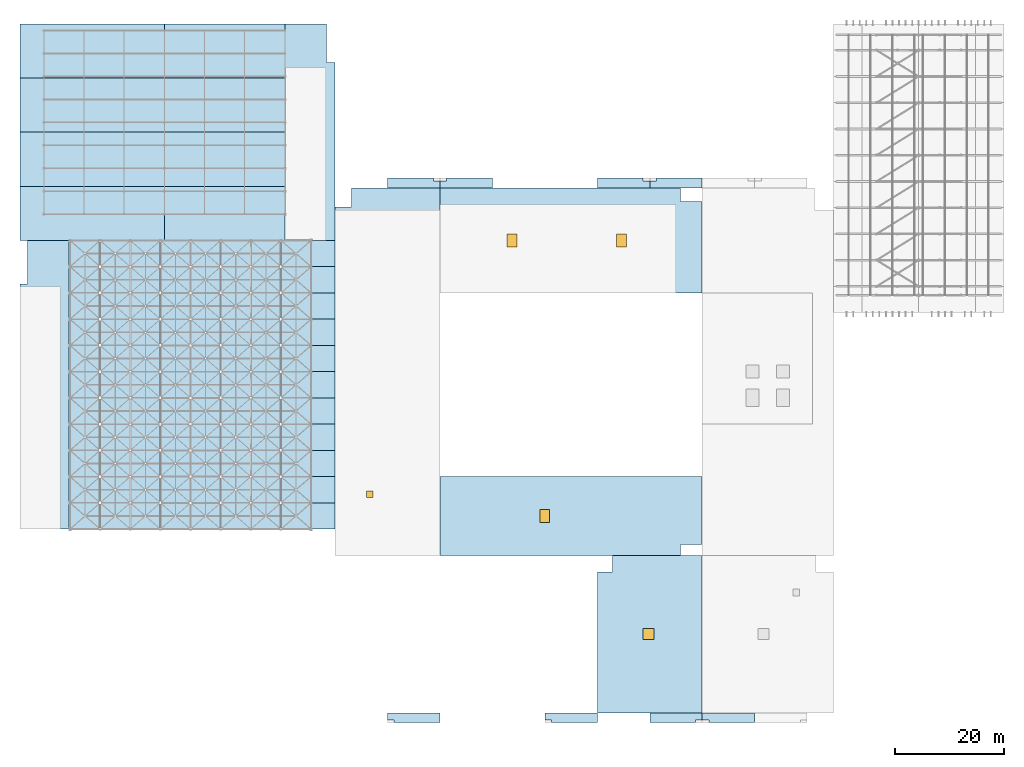
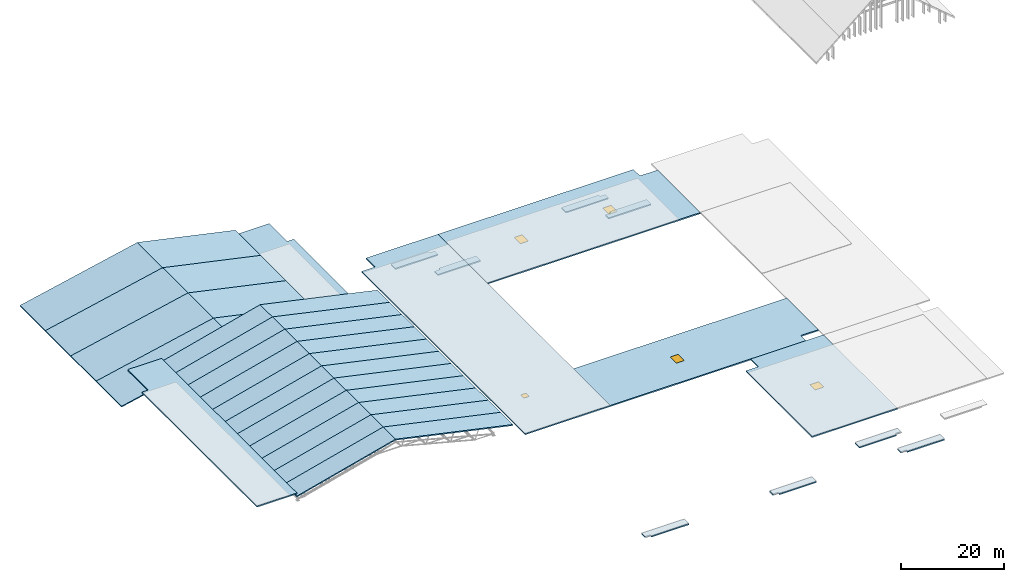
# One storey, part 40 of 60: 44 slabs, 5 windows, 5 openings, 2 elements without a shape of their own.
"""IFC4 building model written with IfcOpenShell, lengths in metres."""

from ifc_helpers import new_model, si_unit, direction, frame, origin, origin_2d, place, context, subcontext, project, spatial, polyline, rectangle, outline, extrude, material, layer, layer_set, type_object, element, fill, aggregate, save


model = new_model("IFC4")

# Units and contexts
model_context = context("Model", 3, precision=1e-05, world=origin(), true_north=direction((0.0, 1.0)))
body_context = subcontext(model_context, "Body", "Model", "MODEL_VIEW")
ifc_project = project(units=[si_unit("LENGTHUNIT", "METRE"), si_unit("AREAUNIT", "SQUARE_METRE"), si_unit("VOLUMEUNIT", "CUBIC_METRE"), si_unit("PLANEANGLEUNIT", "RADIAN"), si_unit("MASSUNIT", "GRAM", prefix="KILO")], contexts=[model_context])

# Site, building, storey
site_placement = place(None, origin())
site = spatial("IfcSite", under=ifc_project, at=site_placement, CompositionType="ELEMENT")
building_placement = place(site_placement, origin())
building = spatial("IfcBuilding", under=site, at=building_placement, Name="Nakhvara Creek Congress Hotel", CompositionType="ELEMENT")
storey_placement = place(building_placement, frame((0.0, 0.0, 54.60009765625)))
storey = spatial("IfcBuildingStorey", under=building, at=storey_placement, Name="RL1", CompositionType="ELEMENT", Elevation=54.60009765625)

# Roof, slabs
ifc_material_1 = material(Name="Concrete C40/50", Category="concrete")
ifc_layer_1 = layer(ifc_material_1, 0.22998046875)
ifc_layer_set_1 = layer_set([ifc_layer_1], Name="Concrete C40/50")
roof_type_1 = type_object("IfcRoofType", Name="ROOF-BALL-GABLE", PredefinedType="GABLE_ROOF", material=ifc_layer_set_1)
roof_1_placement = place(storey_placement, origin())
roof_1 = element("IfcRoof", 1, at=roof_1_placement, inside=storey, type_object=roof_type_1, Name="Grand Ballroom Long-Span Truss Gable Roof", PredefinedType="GABLE_ROOF")
ifc_layer_2 = layer(ifc_material_1, 0.22998046875)
ifc_layer_set_2 = layer_set([ifc_layer_2], Name="Concrete C40/50")
slab_type_1 = type_object("IfcSlabType", Name="SL-ROOF-230", PredefinedType="ROOF", material=ifc_layer_set_2)
slab_1_placement = place(storey_placement, frame((0.0, 86.39990234375, -41.850341796875), z_axis=(0.0, 0.0, 1.0), x_axis=(1.0, 0.0, 0.0)))
slab_1 = element("IfcSlab", 2, at=slab_1_placement, type_object=slab_type_1, Name="Ballroom West Pitched Roof Slab 1", PredefinedType="ROOF", context=body_context, shape_type="SweptSolid", body=[
    extrude(outline(polyline([(0.0, 0.0), (26.39990234375, 5.746826171875), (26.39990234375, 5.511474609375), (0.0, -0.2353515625), (0.0, 0.0)])), frame((0.0, 9.900146484375, 0.0), z_axis=(0.0, -1.0, 0.0), x_axis=(1.0, 0.0, 0.0)), (0.0, 0.0, 1.0), 9.900146484375),
])
slab_2_placement = place(storey_placement, frame((26.39990234375, 86.39990234375, -36.103515625), z_axis=(0.0, 0.0, 1.0), x_axis=(1.0, 0.0, 0.0)))
slab_2 = element("IfcSlab", 3, at=slab_2_placement, type_object=slab_type_1, Name="Ballroom East Pitched Roof Slab 1", PredefinedType="ROOF", context=body_context, shape_type="SweptSolid", body=[
    extrude(outline(polyline([(0.0, 0.0), (22.050048828125, -4.800048828125), (22.050048828125, -5.035400390625), (0.0, -0.2353515625), (0.0, 0.0)])), frame((0.0, 9.900146484375, 0.0), z_axis=(0.0, -1.0, 0.0), x_axis=(1.0, 0.0, 0.0)), (0.0, 0.0, 1.0), 9.900146484375),
])
slab_3_placement = place(storey_placement, frame((0.0, 96.300048828125, -41.850341796875), z_axis=(0.0, 0.0, 1.0), x_axis=(1.0, 0.0, 0.0)))
slab_3 = element("IfcSlab", 4, at=slab_3_placement, type_object=slab_type_1, Name="Ballroom West Pitched Roof Slab 2", PredefinedType="ROOF", context=body_context, shape_type="SweptSolid", body=[
    extrude(outline(polyline([(0.0, 0.0), (26.39990234375, 5.746826171875), (26.39990234375, 5.511474609375), (0.0, -0.2353515625), (0.0, 0.0)])), frame((0.0, 9.89990234375, 0.0), z_axis=(0.0, -1.0, 0.0), x_axis=(1.0, 0.0, 0.0)), (0.0, 0.0, 1.0), 9.89990234375),
])
slab_4_placement = place(storey_placement, frame((26.39990234375, 96.300048828125, -36.103515625), z_axis=(0.0, 0.0, 1.0), x_axis=(1.0, 0.0, 0.0)))
slab_4 = element("IfcSlab", 5, at=slab_4_placement, type_object=slab_type_1, Name="Ballroom East Pitched Roof Slab 2", PredefinedType="ROOF", context=body_context, shape_type="SweptSolid", body=[
    extrude(outline(polyline([(0.0, 0.0), (22.050048828125, -4.800048828125), (22.050048828125, -5.035400390625), (0.0, -0.2353515625), (0.0, 0.0)])), frame((0.0, 9.89990234375, 0.0), z_axis=(0.0, -1.0, 0.0), x_axis=(1.0, 0.0, 0.0)), (0.0, 0.0, 1.0), 9.89990234375),
])
slab_5_placement = place(storey_placement, frame((0.0, 106.199951171875, -41.850341796875), z_axis=(0.0, 0.0, 1.0), x_axis=(1.0, 0.0, 0.0)))
slab_5 = element("IfcSlab", 6, at=slab_5_placement, type_object=slab_type_1, Name="Ballroom West Pitched Roof Slab 3", PredefinedType="ROOF", context=body_context, shape_type="SweptSolid", body=[
    extrude(outline(polyline([(0.0, 0.0), (26.39990234375, 5.746826171875), (26.39990234375, 5.511474609375), (0.0, -0.2353515625), (0.0, 0.0)])), frame((0.0, 9.900146484375, 0.0), z_axis=(0.0, -1.0, 0.0), x_axis=(1.0, 0.0, 0.0)), (0.0, 0.0, 1.0), 9.900146484375),
])
slab_6_placement = place(storey_placement, frame((26.39990234375, 106.199951171875, -36.103515625), z_axis=(0.0, 0.0, 1.0), x_axis=(1.0, 0.0, 0.0)))
slab_6 = element("IfcSlab", 7, at=slab_6_placement, type_object=slab_type_1, Name="Ballroom East Pitched Roof Slab 3", PredefinedType="ROOF", context=body_context, shape_type="SweptSolid", body=[
    extrude(outline(polyline([(0.0, 0.0), (22.050048828125, -4.800048828125), (22.050048828125, -5.035400390625), (0.0, -0.2353515625), (0.0, 0.0)])), frame((0.0, 9.900146484375, 0.0), z_axis=(0.0, -1.0, 0.0), x_axis=(1.0, 0.0, 0.0)), (0.0, 0.0, 1.0), 9.900146484375),
])
slab_7_placement = place(storey_placement, frame((0.0, 116.10009765625, -41.850341796875), z_axis=(0.0, 0.0, 1.0), x_axis=(1.0, 0.0, 0.0)))
slab_7 = element("IfcSlab", 8, at=slab_7_placement, type_object=slab_type_1, Name="Ballroom West Pitched Roof Slab 4", PredefinedType="ROOF", context=body_context, shape_type="SweptSolid", body=[
    extrude(outline(polyline([(0.0, 0.0), (26.39990234375, 5.746826171875), (26.39990234375, 5.511474609375), (0.0, -0.2353515625), (0.0, 0.0)])), frame((0.0, 9.89990234375, 0.0), z_axis=(0.0, -1.0, 0.0), x_axis=(1.0, 0.0, 0.0)), (0.0, 0.0, 1.0), 9.89990234375),
])
slab_8_placement = place(storey_placement, frame((26.39990234375, 116.10009765625, -36.103515625), z_axis=(0.0, 0.0, 1.0), x_axis=(1.0, 0.0, 0.0)))
slab_8 = element("IfcSlab", 9, at=slab_8_placement, type_object=slab_type_1, Name="Ballroom East Pitched Roof Slab 4", PredefinedType="ROOF", context=body_context, shape_type="SweptSolid", body=[
    extrude(outline(polyline([(0.0, 0.0), (22.050048828125, -4.800048828125), (22.050048828125, -5.035400390625), (0.0, -0.2353515625), (0.0, 0.0)])), frame((0.0, 9.89990234375, 0.0), z_axis=(0.0, -1.0, 0.0), x_axis=(1.0, 0.0, 0.0)), (0.0, 0.0, 1.0), 9.89990234375),
])
aggregate(roof_1, [slab_1, slab_2, slab_3, slab_4, slab_5, slab_6, slab_7, slab_8])

ifc_layer_3 = layer(ifc_material_1, 0.27001953125)
ifc_layer_set_3 = layer_set([ifc_layer_3], Name="Concrete C40/50")
roof_type_2 = type_object("IfcRoofType", Name="ROOF-CONG-SF", PredefinedType="GABLE_ROOF", material=ifc_layer_set_3)
roof_2_placement = place(storey_placement, origin())
roof_2 = element("IfcRoof", 10, at=roof_2_placement, inside=storey, type_object=roof_type_2, Name="Congress Hall 11-Bay Space-Frame Roof", PredefinedType="GABLE_ROOF")
ifc_layer_4 = layer(ifc_material_1, 0.27001953125)
ifc_layer_set_4 = layer_set([ifc_layer_4], Name="Concrete C40/50")
slab_type_2 = type_object("IfcSlabType", Name="SL-ROOF-270", PredefinedType="ROOF", material=ifc_layer_set_4)
slab_9_placement = place(storey_placement, frame((9.0, 33.60009765625, -34.348876953125), z_axis=(0.0, 0.0, 1.0), x_axis=(1.0, 0.0, 0.0)))
slab_9 = element("IfcSlab", 11, at=slab_9_placement, type_object=slab_type_2, Name="Congress Hall West Pitched Roof Slab Bay 1", PredefinedType="ROOF", context=body_context, shape_type="SweptSolid", body=[
    extrude(outline(polyline([(0.0, 0.0), (22.199951171875, 5.759765625), (22.199951171875, 5.480712890625), (0.0, -0.279052734375), (0.0, 0.0)])), frame((0.0, 4.7998046875, 0.0), z_axis=(0.0, -1.0, 0.0), x_axis=(1.0, 0.0, 0.0)), (0.0, 0.0, 1.0), 4.7998046875),
])
slab_10_placement = place(storey_placement, frame((31.199951171875, 33.60009765625, -28.589111328125), z_axis=(0.0, 0.0, 1.0), x_axis=(1.0, 0.0, 0.0)))
slab_10 = element("IfcSlab", 12, at=slab_10_placement, type_object=slab_type_2, Name="Congress Hall East Pitched Roof Slab Bay 1", PredefinedType="ROOF", context=body_context, shape_type="SweptSolid", body=[
    extrude(outline(polyline([(0.0, 0.0), (26.400146484375, -5.759765625), (26.400146484375, -6.0361328125), (0.0, -0.2763671875), (0.0, 0.0)])), frame((0.0, 4.7998046875, 0.0), z_axis=(0.0, -1.0, 0.0), x_axis=(1.0, 0.0, 0.0)), (0.0, 0.0, 1.0), 4.7998046875),
])
slab_11_placement = place(storey_placement, frame((9.0, 38.39990234375, -34.348876953125), z_axis=(0.0, 0.0, 1.0), x_axis=(1.0, 0.0, 0.0)))
slab_11 = element("IfcSlab", 13, at=slab_11_placement, type_object=slab_type_2, Name="Congress Hall West Pitched Roof Slab Bay 2", PredefinedType="ROOF", context=body_context, shape_type="SweptSolid", body=[
    extrude(outline(polyline([(0.0, 0.0), (22.199951171875, 5.759765625), (22.199951171875, 5.480712890625), (0.0, -0.279052734375), (0.0, 0.0)])), frame((0.0, 4.800048828125, 0.0), z_axis=(0.0, -1.0, 0.0), x_axis=(1.0, 0.0, 0.0)), (0.0, 0.0, 1.0), 4.800048828125),
])
slab_12_placement = place(storey_placement, frame((31.199951171875, 38.39990234375, -28.589111328125), z_axis=(0.0, 0.0, 1.0), x_axis=(1.0, 0.0, 0.0)))
slab_12 = element("IfcSlab", 14, at=slab_12_placement, type_object=slab_type_2, Name="Congress Hall East Pitched Roof Slab Bay 2", PredefinedType="ROOF", context=body_context, shape_type="SweptSolid", body=[
    extrude(outline(polyline([(0.0, 0.0), (26.400146484375, -5.759765625), (26.400146484375, -6.0361328125), (0.0, -0.2763671875), (0.0, 0.0)])), frame((0.0, 4.800048828125, 0.0), z_axis=(0.0, -1.0, 0.0), x_axis=(1.0, 0.0, 0.0)), (0.0, 0.0, 1.0), 4.800048828125),
])
slab_13_placement = place(storey_placement, frame((9.0, 43.199951171875, -34.348876953125), z_axis=(0.0, 0.0, 1.0), x_axis=(1.0, 0.0, 0.0)))
slab_13 = element("IfcSlab", 15, at=slab_13_placement, type_object=slab_type_2, Name="Congress Hall West Pitched Roof Slab Bay 3", PredefinedType="ROOF", context=body_context, shape_type="SweptSolid", body=[
    extrude(outline(polyline([(0.0, 0.0), (22.199951171875, 5.759765625), (22.199951171875, 5.480712890625), (0.0, -0.279052734375), (0.0, 0.0)])), frame((0.0, 4.800048828125, 0.0), z_axis=(0.0, -1.0, 0.0), x_axis=(1.0, 0.0, 0.0)), (0.0, 0.0, 1.0), 4.800048828125),
])
slab_14_placement = place(storey_placement, frame((31.199951171875, 43.199951171875, -28.589111328125), z_axis=(0.0, 0.0, 1.0), x_axis=(1.0, 0.0, 0.0)))
slab_14 = element("IfcSlab", 16, at=slab_14_placement, type_object=slab_type_2, Name="Congress Hall East Pitched Roof Slab Bay 3", PredefinedType="ROOF", context=body_context, shape_type="SweptSolid", body=[
    extrude(outline(polyline([(0.0, 0.0), (26.400146484375, -5.759765625), (26.400146484375, -6.0361328125), (0.0, -0.2763671875), (0.0, 0.0)])), frame((0.0, 4.800048828125, 0.0), z_axis=(0.0, -1.0, 0.0), x_axis=(1.0, 0.0, 0.0)), (0.0, 0.0, 1.0), 4.800048828125),
])
slab_15_placement = place(storey_placement, frame((9.0, 48.0, -34.348876953125), z_axis=(0.0, 0.0, 1.0), x_axis=(1.0, 0.0, 0.0)))
slab_15 = element("IfcSlab", 17, at=slab_15_placement, type_object=slab_type_2, Name="Congress Hall West Pitched Roof Slab Bay 4", PredefinedType="ROOF", context=body_context, shape_type="SweptSolid", body=[
    extrude(outline(polyline([(0.0, 0.0), (22.199951171875, 5.759765625), (22.199951171875, 5.480712890625), (0.0, -0.279052734375), (0.0, 0.0)])), frame((0.0, 4.800048828125, 0.0), z_axis=(0.0, -1.0, 0.0), x_axis=(1.0, 0.0, 0.0)), (0.0, 0.0, 1.0), 4.800048828125),
])
slab_16_placement = place(storey_placement, frame((31.199951171875, 48.0, -28.589111328125), z_axis=(0.0, 0.0, 1.0), x_axis=(1.0, 0.0, 0.0)))
slab_16 = element("IfcSlab", 18, at=slab_16_placement, type_object=slab_type_2, Name="Congress Hall East Pitched Roof Slab Bay 4", PredefinedType="ROOF", context=body_context, shape_type="SweptSolid", body=[
    extrude(outline(polyline([(0.0, 0.0), (26.400146484375, -5.759765625), (26.400146484375, -6.0361328125), (0.0, -0.2763671875), (0.0, 0.0)])), frame((0.0, 4.800048828125, 0.0), z_axis=(0.0, -1.0, 0.0), x_axis=(1.0, 0.0, 0.0)), (0.0, 0.0, 1.0), 4.800048828125),
])
slab_17_placement = place(storey_placement, frame((9.0, 52.800048828125, -34.348876953125), z_axis=(0.0, 0.0, 1.0), x_axis=(1.0, 0.0, 0.0)))
slab_17 = element("IfcSlab", 19, at=slab_17_placement, type_object=slab_type_2, Name="Congress Hall West Pitched Roof Slab Bay 5", PredefinedType="ROOF", context=body_context, shape_type="SweptSolid", body=[
    extrude(outline(polyline([(0.0, 0.0), (22.199951171875, 5.759765625), (22.199951171875, 5.480712890625), (0.0, -0.279052734375), (0.0, 0.0)])), frame((0.0, 4.800048828125, 0.0), z_axis=(0.0, -1.0, 0.0), x_axis=(1.0, 0.0, 0.0)), (0.0, 0.0, 1.0), 4.800048828125),
])
slab_18_placement = place(storey_placement, frame((31.199951171875, 52.800048828125, -28.589111328125), z_axis=(0.0, 0.0, 1.0), x_axis=(1.0, 0.0, 0.0)))
slab_18 = element("IfcSlab", 20, at=slab_18_placement, type_object=slab_type_2, Name="Congress Hall East Pitched Roof Slab Bay 5", PredefinedType="ROOF", context=body_context, shape_type="SweptSolid", body=[
    extrude(outline(polyline([(0.0, 0.0), (26.400146484375, -5.759765625), (26.400146484375, -6.0361328125), (0.0, -0.2763671875), (0.0, 0.0)])), frame((0.0, 4.800048828125, 0.0), z_axis=(0.0, -1.0, 0.0), x_axis=(1.0, 0.0, 0.0)), (0.0, 0.0, 1.0), 4.800048828125),
])
slab_19_placement = place(storey_placement, frame((9.0, 57.60009765625, -34.348876953125), z_axis=(0.0, 0.0, 1.0), x_axis=(1.0, 0.0, 0.0)))
slab_19 = element("IfcSlab", 21, at=slab_19_placement, type_object=slab_type_2, Name="Congress Hall West Pitched Roof Slab Bay 6", PredefinedType="ROOF", context=body_context, shape_type="SweptSolid", body=[
    extrude(outline(polyline([(0.0, 0.0), (22.199951171875, 5.759765625), (22.199951171875, 5.480712890625), (0.0, -0.279052734375), (0.0, 0.0)])), frame((0.0, 4.7998046875, 0.0), z_axis=(0.0, -1.0, 0.0), x_axis=(1.0, 0.0, 0.0)), (0.0, 0.0, 1.0), 4.7998046875),
])
slab_20_placement = place(storey_placement, frame((31.199951171875, 57.60009765625, -28.589111328125), z_axis=(0.0, 0.0, 1.0), x_axis=(1.0, 0.0, 0.0)))
slab_20 = element("IfcSlab", 22, at=slab_20_placement, type_object=slab_type_2, Name="Congress Hall East Pitched Roof Slab Bay 6", PredefinedType="ROOF", context=body_context, shape_type="SweptSolid", body=[
    extrude(outline(polyline([(0.0, 0.0), (26.400146484375, -5.759765625), (26.400146484375, -6.0361328125), (0.0, -0.2763671875), (0.0, 0.0)])), frame((0.0, 4.7998046875, 0.0), z_axis=(0.0, -1.0, 0.0), x_axis=(1.0, 0.0, 0.0)), (0.0, 0.0, 1.0), 4.7998046875),
])
slab_21_placement = place(storey_placement, frame((9.0, 62.39990234375, -34.348876953125), z_axis=(0.0, 0.0, 1.0), x_axis=(1.0, 0.0, 0.0)))
slab_21 = element("IfcSlab", 23, at=slab_21_placement, type_object=slab_type_2, Name="Congress Hall West Pitched Roof Slab Bay 7", PredefinedType="ROOF", context=body_context, shape_type="SweptSolid", body=[
    extrude(outline(polyline([(0.0, 0.0), (22.199951171875, 5.759765625), (22.199951171875, 5.480712890625), (0.0, -0.279052734375), (0.0, 0.0)])), frame((0.0, 4.800048828125, 0.0), z_axis=(0.0, -1.0, 0.0), x_axis=(1.0, 0.0, 0.0)), (0.0, 0.0, 1.0), 4.800048828125),
])
slab_22_placement = place(storey_placement, frame((31.199951171875, 62.39990234375, -28.589111328125), z_axis=(0.0, 0.0, 1.0), x_axis=(1.0, 0.0, 0.0)))
slab_22 = element("IfcSlab", 24, at=slab_22_placement, type_object=slab_type_2, Name="Congress Hall East Pitched Roof Slab Bay 7", PredefinedType="ROOF", context=body_context, shape_type="SweptSolid", body=[
    extrude(outline(polyline([(0.0, 0.0), (26.400146484375, -5.759765625), (26.400146484375, -6.0361328125), (0.0, -0.2763671875), (0.0, 0.0)])), frame((0.0, 4.800048828125, 0.0), z_axis=(0.0, -1.0, 0.0), x_axis=(1.0, 0.0, 0.0)), (0.0, 0.0, 1.0), 4.800048828125),
])
slab_23_placement = place(storey_placement, frame((9.0, 67.199951171875, -34.348876953125), z_axis=(0.0, 0.0, 1.0), x_axis=(1.0, 0.0, 0.0)))
slab_23 = element("IfcSlab", 25, at=slab_23_placement, type_object=slab_type_2, Name="Congress Hall West Pitched Roof Slab Bay 8", PredefinedType="ROOF", context=body_context, shape_type="SweptSolid", body=[
    extrude(outline(polyline([(0.0, 0.0), (22.199951171875, 5.759765625), (22.199951171875, 5.480712890625), (0.0, -0.279052734375), (0.0, 0.0)])), frame((0.0, 4.800048828125, 0.0), z_axis=(0.0, -1.0, 0.0), x_axis=(1.0, 0.0, 0.0)), (0.0, 0.0, 1.0), 4.800048828125),
])
slab_24_placement = place(storey_placement, frame((31.199951171875, 67.199951171875, -28.589111328125), z_axis=(0.0, 0.0, 1.0), x_axis=(1.0, 0.0, 0.0)))
slab_24 = element("IfcSlab", 26, at=slab_24_placement, type_object=slab_type_2, Name="Congress Hall East Pitched Roof Slab Bay 8", PredefinedType="ROOF", context=body_context, shape_type="SweptSolid", body=[
    extrude(outline(polyline([(0.0, 0.0), (26.400146484375, -5.759765625), (26.400146484375, -6.0361328125), (0.0, -0.2763671875), (0.0, 0.0)])), frame((0.0, 4.800048828125, 0.0), z_axis=(0.0, -1.0, 0.0), x_axis=(1.0, 0.0, 0.0)), (0.0, 0.0, 1.0), 4.800048828125),
])
slab_25_placement = place(storey_placement, frame((9.0, 72.0, -34.348876953125), z_axis=(0.0, 0.0, 1.0), x_axis=(1.0, 0.0, 0.0)))
slab_25 = element("IfcSlab", 27, at=slab_25_placement, type_object=slab_type_2, Name="Congress Hall West Pitched Roof Slab Bay 9", PredefinedType="ROOF", context=body_context, shape_type="SweptSolid", body=[
    extrude(outline(polyline([(0.0, 0.0), (22.199951171875, 5.759765625), (22.199951171875, 5.480712890625), (0.0, -0.279052734375), (0.0, 0.0)])), frame((0.0, 4.800048828125, 0.0), z_axis=(0.0, -1.0, 0.0), x_axis=(1.0, 0.0, 0.0)), (0.0, 0.0, 1.0), 4.800048828125),
])
slab_26_placement = place(storey_placement, frame((31.199951171875, 72.0, -28.589111328125), z_axis=(0.0, 0.0, 1.0), x_axis=(1.0, 0.0, 0.0)))
slab_26 = element("IfcSlab", 28, at=slab_26_placement, type_object=slab_type_2, Name="Congress Hall East Pitched Roof Slab Bay 9", PredefinedType="ROOF", context=body_context, shape_type="SweptSolid", body=[
    extrude(outline(polyline([(0.0, 0.0), (26.400146484375, -5.759765625), (26.400146484375, -6.0361328125), (0.0, -0.2763671875), (0.0, 0.0)])), frame((0.0, 4.800048828125, 0.0), z_axis=(0.0, -1.0, 0.0), x_axis=(1.0, 0.0, 0.0)), (0.0, 0.0, 1.0), 4.800048828125),
])
slab_27_placement = place(storey_placement, frame((9.0, 76.800048828125, -34.348876953125), z_axis=(0.0, 0.0, 1.0), x_axis=(1.0, 0.0, 0.0)))
slab_27 = element("IfcSlab", 29, at=slab_27_placement, type_object=slab_type_2, Name="Congress Hall West Pitched Roof Slab Bay 10", PredefinedType="ROOF", context=body_context, shape_type="SweptSolid", body=[
    extrude(outline(polyline([(0.0, 0.0), (22.199951171875, 5.759765625), (22.199951171875, 5.480712890625), (0.0, -0.279052734375), (0.0, 0.0)])), frame((0.0, 4.800048828125, 0.0), z_axis=(0.0, -1.0, 0.0), x_axis=(1.0, 0.0, 0.0)), (0.0, 0.0, 1.0), 4.800048828125),
])
slab_28_placement = place(storey_placement, frame((31.199951171875, 76.800048828125, -28.589111328125), z_axis=(0.0, 0.0, 1.0), x_axis=(1.0, 0.0, 0.0)))
slab_28 = element("IfcSlab", 30, at=slab_28_placement, type_object=slab_type_2, Name="Congress Hall East Pitched Roof Slab Bay 10", PredefinedType="ROOF", context=body_context, shape_type="SweptSolid", body=[
    extrude(outline(polyline([(0.0, 0.0), (26.400146484375, -5.759765625), (26.400146484375, -6.0361328125), (0.0, -0.2763671875), (0.0, 0.0)])), frame((0.0, 4.800048828125, 0.0), z_axis=(0.0, -1.0, 0.0), x_axis=(1.0, 0.0, 0.0)), (0.0, 0.0, 1.0), 4.800048828125),
])
slab_29_placement = place(storey_placement, frame((9.0, 81.60009765625, -34.348876953125), z_axis=(0.0, 0.0, 1.0), x_axis=(1.0, 0.0, 0.0)))
slab_29 = element("IfcSlab", 31, at=slab_29_placement, type_object=slab_type_2, Name="Congress Hall West Pitched Roof Slab Bay 11", PredefinedType="ROOF", context=body_context, shape_type="SweptSolid", body=[
    extrude(outline(polyline([(0.0, 0.0), (22.199951171875, 5.759765625), (22.199951171875, 5.480712890625), (0.0, -0.279052734375), (0.0, 0.0)])), frame((0.0, 4.7998046875, 0.0), z_axis=(0.0, -1.0, 0.0), x_axis=(1.0, 0.0, 0.0)), (0.0, 0.0, 1.0), 4.7998046875),
])
slab_30_placement = place(storey_placement, frame((31.199951171875, 81.60009765625, -28.589111328125), z_axis=(0.0, 0.0, 1.0), x_axis=(1.0, 0.0, 0.0)))
slab_30 = element("IfcSlab", 32, at=slab_30_placement, type_object=slab_type_2, Name="Congress Hall East Pitched Roof Slab Bay 11", PredefinedType="ROOF", context=body_context, shape_type="SweptSolid", body=[
    extrude(outline(polyline([(0.0, 0.0), (26.400146484375, -5.759765625), (26.400146484375, -6.0361328125), (0.0, -0.2763671875), (0.0, 0.0)])), frame((0.0, 4.7998046875, 0.0), z_axis=(0.0, -1.0, 0.0), x_axis=(1.0, 0.0, 0.0)), (0.0, 0.0, 1.0), 4.7998046875),
])
aggregate(roof_2, [slab_9, slab_10, slab_11, slab_12, slab_13, slab_14, slab_15, slab_16, slab_17, slab_18, slab_19, slab_20, slab_21, slab_22, slab_23, slab_24, slab_25, slab_26, slab_27, slab_28, slab_29, slab_30])

# Slab, opening, window
ifc_layer_5 = layer(ifc_material_1, 0.2900390625)
ifc_layer_set_5 = layer_set([ifc_layer_5], Name="Concrete C40/50")
slab_type_3 = type_object("IfcSlabType", Name="SL-ROOF-290", PredefinedType="ROOF", material=ifc_layer_set_5)
slab_31_placement = place(storey_placement, frame((0.0, 0.0, -33.89013671875)))
slab_31 = element("IfcSlab", 33, at=slab_31_placement, inside=storey, type_object=slab_type_3, Name="Maintenance Roof Slab SLB-RF-V3-WEST", PredefinedType="ROOF", context=body_context, shape_type="SweptSolid", body=[
    extrude(outline(polyline([(57.60009765625, 28.800048828125), (76.800048828125, 28.800048828125), (76.800048828125, 96.0), (60.60009765625, 96.0), (60.60009765625, 92.5), (57.60009765625, 92.5), (57.60009765625, 28.800048828125)])), origin(), (0.0, 0.0, 1.0), 0.2900390625),
])
opening_1_placement = place(slab_31_placement, frame((64.0, 40.0, 0.0), z_axis=(0.0, 0.0, 1.0), x_axis=(1.0, 0.0, 0.0)))
opening_1 = element("IfcOpeningElement", 34, at=opening_1_placement, cuts=slab_31, Name="Opening RH01", PredefinedType="OPENING", context=body_context, shape_type="SweptSolid", body=[
    extrude(rectangle(XDim=1.199951171875, YDim=1.199951171875, at=origin_2d()), frame((0.0, 0.0, -0.011962890625)), (0.0, 0.0, 1.0), 0.31396484375),
])
ifc_material_2 = material(Name="Thermally broken bronze-anodised aluminium and double-silver low-E insulated glass", Category="aluminium")
window_type_1 = type_object("IfcWindowType", Name="SK-HTH-120X120", PartitioningType="SINGLE_PANEL", PredefinedType="SKYLIGHT", material=ifc_material_2)
window_1_placement = place(opening_1_placement, frame((0.0, 0.0, 0.239990234375)))
window_1 = element("IfcWindow", 35, at=window_1_placement, inside=storey, type_object=window_type_1, Name="Roof Skylight RH01", OverallHeight=1.199951171875, OverallWidth=1.199951171875, PartitioningType="SINGLE_PANEL", PredefinedType="SKYLIGHT", context=body_context, shape_type="SweptSolid", body=[
    extrude(rectangle(XDim=1.199951171875, YDim=1.199951171875, at=origin_2d()), origin(), (0.0, 0.0, 1.0), 0.050048828125),
])
fill(opening_1, window_1)

# Slab, openings, windows
slab_32_placement = place(storey_placement, frame((0.0, 0.0, -33.89013671875)))
slab_32 = element("IfcSlab", 36, at=slab_32_placement, inside=storey, type_object=slab_type_3, Name="Maintenance Roof Slab SLB-RF-V3-NORTH", PredefinedType="ROOF", context=body_context, shape_type="SweptSolid", body=[
    extrude(outline(polyline([(76.800048828125, 76.800048828125), (124.800048828125, 76.800048828125), (124.800048828125, 93.5), (120.800048828125, 93.5), (120.800048828125, 96.0), (76.800048828125, 96.0), (76.800048828125, 76.800048828125)])), origin(), (0.0, 0.0, 1.0), 0.2900390625),
])
opening_2_placement = place(slab_32_placement, frame((90.0, 86.39990234375, 0.0), z_axis=(0.0, 0.0, 1.0), x_axis=(1.0, 0.0, 0.0)))
opening_2 = element("IfcOpeningElement", 37, at=opening_2_placement, cuts=slab_32, Name="Opening SK05", PredefinedType="OPENING", context=body_context, shape_type="SweptSolid", body=[
    extrude(rectangle(XDim=1.800048828125, YDim=2.39990234375, at=origin_2d()), frame((0.0, 0.0, -0.011962890625)), (0.0, 0.0, 1.0), 0.31396484375),
])
opening_3_placement = place(slab_32_placement, frame((110.0, 86.39990234375, 0.0), z_axis=(0.0, 0.0, 1.0), x_axis=(1.0, 0.0, 0.0)))
opening_3 = element("IfcOpeningElement", 38, at=opening_3_placement, cuts=slab_32, Name="Opening SK06", PredefinedType="OPENING", context=body_context, shape_type="SweptSolid", body=[
    extrude(rectangle(XDim=1.800048828125, YDim=2.39990234375, at=origin_2d()), frame((0.0, 0.0, -0.011962890625)), (0.0, 0.0, 1.0), 0.31396484375),
])
window_type_2 = type_object("IfcWindowType", Name="SK-CON-180X240", PartitioningType="SINGLE_PANEL", PredefinedType="SKYLIGHT", material=ifc_material_2)
window_2_placement = place(opening_2_placement, frame((0.0, 0.0, 0.239990234375)))
window_2 = element("IfcWindow", 39, at=window_2_placement, inside=storey, type_object=window_type_2, Name="Roof Skylight SK05", OverallHeight=2.39990234375, OverallWidth=1.800048828125, PartitioningType="SINGLE_PANEL", PredefinedType="SKYLIGHT", context=body_context, shape_type="SweptSolid", body=[
    extrude(rectangle(XDim=1.800048828125, YDim=2.39990234375, at=origin_2d()), origin(), (0.0, 0.0, 1.0), 0.050048828125),
])
fill(opening_2, window_2)
window_3_placement = place(opening_3_placement, frame((0.0, 0.0, 0.239990234375)))
window_3 = element("IfcWindow", 40, at=window_3_placement, inside=storey, type_object=window_type_2, Name="Roof Skylight SK06", OverallHeight=2.39990234375, OverallWidth=1.800048828125, PartitioningType="SINGLE_PANEL", PredefinedType="SKYLIGHT", context=body_context, shape_type="SweptSolid", body=[
    extrude(rectangle(XDim=1.800048828125, YDim=2.39990234375, at=origin_2d()), origin(), (0.0, 0.0, 1.0), 0.050048828125),
])
fill(opening_3, window_3)

# Slab, opening, window
slab_33_placement = place(storey_placement, frame((0.0, 0.0, -33.89013671875)))
slab_33 = element("IfcSlab", 41, at=slab_33_placement, inside=storey, type_object=slab_type_3, Name="Maintenance Roof Slab SLB-RF-V3-SOUTH", PredefinedType="ROOF", context=body_context, shape_type="SweptSolid", body=[
    extrude(outline(polyline([(76.800048828125, 28.800048828125), (120.800048828125, 28.800048828125), (120.800048828125, 30.800048828125), (124.800048828125, 30.800048828125), (124.800048828125, 43.199951171875), (76.800048828125, 43.199951171875), (76.800048828125, 28.800048828125)])), origin(), (0.0, 0.0, 1.0), 0.2900390625),
])
opening_4_placement = place(slab_33_placement, frame((96.0, 36.0, 0.0), z_axis=(0.0, 0.0, 1.0), x_axis=(1.0, 0.0, 0.0)))
opening_4 = element("IfcOpeningElement", 42, at=opening_4_placement, cuts=slab_33, Name="Opening SK09", PredefinedType="OPENING", context=body_context, shape_type="SweptSolid", body=[
    extrude(rectangle(XDim=1.800048828125, YDim=2.39990234375, at=origin_2d()), frame((0.0, 0.0, -0.011962890625)), (0.0, 0.0, 1.0), 0.31396484375),
])
window_4_placement = place(opening_4_placement, frame((0.0, 0.0, 0.239990234375)))
window_4 = element("IfcWindow", 43, at=window_4_placement, inside=storey, type_object=window_type_2, Name="Roof Skylight SK09", OverallHeight=2.39990234375, OverallWidth=1.800048828125, PartitioningType="SINGLE_PANEL", PredefinedType="SKYLIGHT", context=body_context, shape_type="SweptSolid", body=[
    extrude(rectangle(XDim=1.800048828125, YDim=2.39990234375, at=origin_2d()), origin(), (0.0, 0.0, 1.0), 0.050048828125),
])
fill(opening_4, window_4)

slab_34_placement = place(storey_placement, frame((0.0, 0.0, -33.89013671875)))
slab_34 = element("IfcSlab", 44, at=slab_34_placement, inside=storey, type_object=slab_type_3, Name="Maintenance Roof Slab SLB-RF-V4E-W", PredefinedType="ROOF", context=body_context, shape_type="SweptSolid", body=[
    extrude(outline(polyline([(105.60009765625, 0.0), (124.800048828125, 0.0), (124.800048828125, 28.800048828125), (108.39990234375, 28.800048828125), (108.39990234375, 25.800048828125), (105.60009765625, 25.800048828125), (105.60009765625, 0.0)])), origin(), (0.0, 0.0, 1.0), 0.2900390625),
])
opening_5_placement = place(slab_34_placement, frame((115.0, 14.39990234375, 0.0), z_axis=(0.0, 0.0, 1.0), x_axis=(1.0, 0.0, 0.0)))
opening_5 = element("IfcOpeningElement", 45, at=opening_5_placement, cuts=slab_34, Name="Opening SK07", PredefinedType="OPENING", context=body_context, shape_type="SweptSolid", body=[
    extrude(rectangle(XDim=2.0, YDim=2.0, at=origin_2d()), frame((0.0, 0.0, -0.011962890625)), (0.0, 0.0, 1.0), 0.31396484375),
])
window_type_3 = type_object("IfcWindowType", Name="SK-SPA-200X200", PartitioningType="SINGLE_PANEL", PredefinedType="SKYLIGHT", material=ifc_material_2)
window_5_placement = place(opening_5_placement, frame((0.0, 0.0, 0.239990234375)))
window_5 = element("IfcWindow", 46, at=window_5_placement, inside=storey, type_object=window_type_3, Name="Roof Skylight SK07", OverallHeight=2.0, OverallWidth=2.0, PartitioningType="SINGLE_PANEL", PredefinedType="SKYLIGHT", context=body_context, shape_type="SweptSolid", body=[
    extrude(rectangle(XDim=2.0, YDim=2.0, at=origin_2d()), origin(), (0.0, 0.0, 1.0), 0.050048828125),
])
fill(opening_5, window_5)

# Slabs
slab_35_placement = place(storey_placement, frame((0.0, 0.0, -33.89013671875)))
element("IfcSlab", 47, at=slab_35_placement, inside=storey, type_object=slab_type_3, Name="Maintenance Roof Slab SLB-RF-V1W-CAT", PredefinedType="ROOF", context=body_context, shape_type="SweptSolid", body=[
    extrude(outline(polyline([(0.0, 33.60009765625), (9.0, 33.60009765625), (9.0, 86.39990234375), (1.39990234375, 86.39990234375), (1.39990234375, 78.39990234375), (0.0, 78.39990234375), (0.0, 33.60009765625)])), origin(), (0.0, 0.0, 1.0), 0.2900390625),
])
slab_36_placement = place(storey_placement, frame((0.0, 0.0, -42.2900390625)))
element("IfcSlab", 48, at=slab_36_placement, inside=storey, type_object=slab_type_3, Name="Maintenance Roof Slab SLB-RF-V2E-GAL", PredefinedType="ROOF", context=body_context, shape_type="SweptSolid", body=[
    extrude(outline(polyline([(48.449951171875, 86.39990234375), (57.60009765625, 86.39990234375), (57.60009765625, 119.0), (56.10009765625, 119.0), (56.10009765625, 126.0), (48.449951171875, 126.0), (48.449951171875, 86.39990234375)])), origin(), (0.0, 0.0, 1.0), 0.2900390625),
])
slab_37_placement = place(storey_placement, frame((0.0, 0.0, -38.690185546875)))
element("IfcSlab", 49, at=slab_37_placement, inside=storey, type_object=slab_type_3, Name="Glazed Meeting Box Maintenance Roof Slab PBOX-L02-N1", PredefinedType="ROOF", context=body_context, shape_type="SweptSolid", body=[
    extrude(outline(polyline([(67.199951171875, 96.0), (76.800048828125, 96.0), (76.800048828125, 97.300048828125), (75.60009765625, 97.300048828125), (75.60009765625, 97.800048828125), (67.199951171875, 97.800048828125), (67.199951171875, 96.0)])), origin(), (0.0, 0.0, 1.0), 0.2900390625),
])
slab_38_placement = place(storey_placement, frame((0.0, 0.0, -38.690185546875)))
element("IfcSlab", 50, at=slab_38_placement, inside=storey, type_object=slab_type_3, Name="Glazed Meeting Box Maintenance Roof Slab PBOX-L02-N2", PredefinedType="ROOF", context=body_context, shape_type="SweptSolid", body=[
    extrude(outline(polyline([(105.60009765625, 96.0), (115.199951171875, 96.0), (115.199951171875, 97.300048828125), (114.0, 97.300048828125), (114.0, 97.800048828125), (105.60009765625, 97.800048828125), (105.60009765625, 96.0)])), origin(), (0.0, 0.0, 1.0), 0.2900390625),
])
slab_39_placement = place(storey_placement, frame((0.0, 0.0, -38.690185546875)))
element("IfcSlab", 51, at=slab_39_placement, inside=storey, type_object=slab_type_3, Name="Glazed Meeting Box Maintenance Roof Slab PBOX-L02-S1", PredefinedType="ROOF", context=body_context, shape_type="SweptSolid", body=[
    extrude(outline(polyline([(115.199951171875, -1.800048828125), (123.60009765625, -1.800048828125), (123.60009765625, -1.300048828125), (124.800048828125, -1.300048828125), (124.800048828125, 0.0), (115.199951171875, 0.0), (115.199951171875, -1.800048828125)])), origin(), (0.0, 0.0, 1.0), 0.2900390625),
])
slab_40_placement = place(storey_placement, frame((0.0, 0.0, -43.489990234375)))
element("IfcSlab", 52, at=slab_40_placement, inside=storey, type_object=slab_type_3, Name="Glazed Foyer Box Maintenance Roof Slab PBOX-L01-N1", PredefinedType="ROOF", context=body_context, shape_type="SweptSolid", body=[
    extrude(outline(polyline([(76.800048828125, 96.0), (86.39990234375, 96.0), (86.39990234375, 97.800048828125), (78.0, 97.800048828125), (78.0, 97.300048828125), (76.800048828125, 97.300048828125), (76.800048828125, 96.0)])), origin(), (0.0, 0.0, 1.0), 0.289794921875),
])
slab_41_placement = place(storey_placement, frame((0.0, 0.0, -43.489990234375)))
element("IfcSlab", 53, at=slab_41_placement, inside=storey, type_object=slab_type_3, Name="Glazed Foyer Box Maintenance Roof Slab PBOX-L01-N2", PredefinedType="ROOF", context=body_context, shape_type="SweptSolid", body=[
    extrude(outline(polyline([(115.199951171875, 96.0), (124.800048828125, 96.0), (124.800048828125, 97.800048828125), (116.39990234375, 97.800048828125), (116.39990234375, 97.300048828125), (115.199951171875, 97.300048828125), (115.199951171875, 96.0)])), origin(), (0.0, 0.0, 1.0), 0.289794921875),
])
slab_42_placement = place(storey_placement, frame((0.0, 0.0, -43.489990234375)))
element("IfcSlab", 54, at=slab_42_placement, inside=storey, type_object=slab_type_3, Name="Glazed Foyer Box Maintenance Roof Slab PBOX-L01-S1", PredefinedType="ROOF", context=body_context, shape_type="SweptSolid", body=[
    extrude(outline(polyline([(68.39990234375, -1.800048828125), (76.800048828125, -1.800048828125), (76.800048828125, 0.0), (67.199951171875, 0.0), (67.199951171875, -1.300048828125), (68.39990234375, -1.300048828125), (68.39990234375, -1.800048828125)])), origin(), (0.0, 0.0, 1.0), 0.289794921875),
])
slab_43_placement = place(storey_placement, frame((0.0, 0.0, -43.489990234375)))
element("IfcSlab", 55, at=slab_43_placement, inside=storey, type_object=slab_type_3, Name="Glazed Foyer Box Maintenance Roof Slab PBOX-L01-S2", PredefinedType="ROOF", context=body_context, shape_type="SweptSolid", body=[
    extrude(outline(polyline([(97.199951171875, -1.800048828125), (105.60009765625, -1.800048828125), (105.60009765625, 0.0), (96.0, 0.0), (96.0, -1.300048828125), (97.199951171875, -1.300048828125), (97.199951171875, -1.800048828125)])), origin(), (0.0, 0.0, 1.0), 0.289794921875),
])
slab_44_placement = place(storey_placement, frame((0.0, 0.0, -43.489990234375)))
element("IfcSlab", 56, at=slab_44_placement, inside=storey, type_object=slab_type_3, Name="Glazed Foyer Box Maintenance Roof Slab PBOX-L01-S3", PredefinedType="ROOF", context=body_context, shape_type="SweptSolid", body=[
    extrude(outline(polyline([(126.0, -1.800048828125), (134.39990234375, -1.800048828125), (134.39990234375, 0.0), (124.800048828125, 0.0), (124.800048828125, -1.300048828125), (126.0, -1.300048828125), (126.0, -1.800048828125)])), origin(), (0.0, 0.0, 1.0), 0.289794921875),
])

save(model, "model.ifc")
